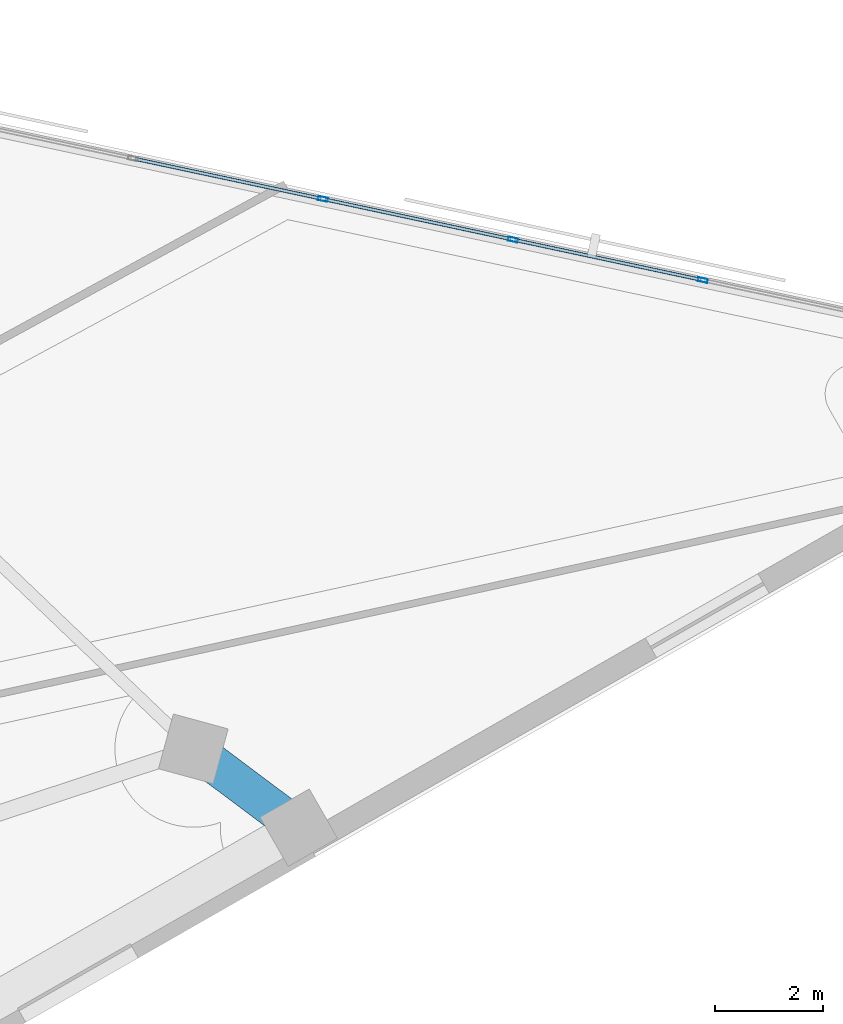
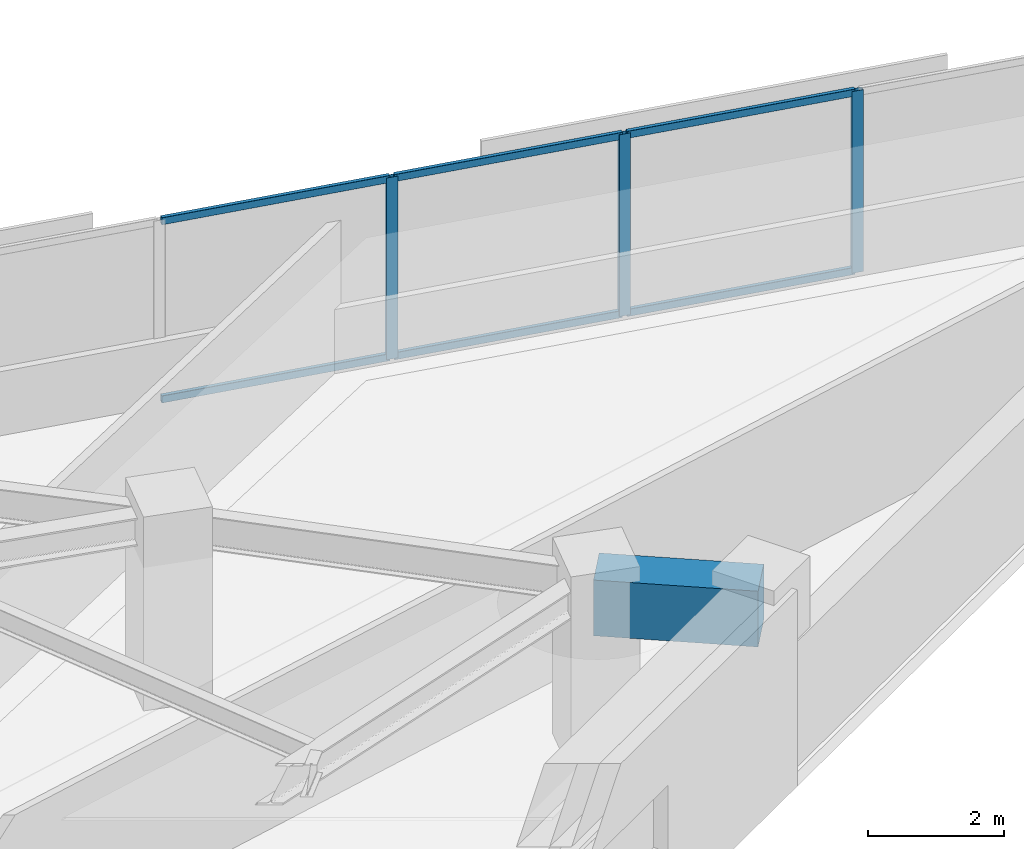
# One storey, part 5 of 14: 9 members, 1 beam, 1 element without a shape of its own.
"""IFC4 building model written with IfcOpenShell, lengths in metres."""

from ifc_helpers import new_model, si_unit, direction, frame, origin, origin_2d, place, context, subcontext, project, spatial, rectangle, hollow_rectangle, extrude, material, material_profile, profile_set, type_object, element, aggregate, save


model = new_model("IFC4")

# Units and contexts
model_context = context("Model", 3, precision=1e-05, world=origin(), true_north=direction((0.0, 1.0)))
body_context = subcontext(model_context, "Body", "Model", "MODEL_VIEW")
ifc_project = project(units=[si_unit("LENGTHUNIT", "METRE"), si_unit("AREAUNIT", "SQUARE_METRE"), si_unit("VOLUMEUNIT", "CUBIC_METRE"), si_unit("PLANEANGLEUNIT", "RADIAN"), si_unit("MASSUNIT", "GRAM", prefix="KILO")], contexts=[model_context])

# Site, building, storey
site_placement = place(None, origin())
site = spatial("IfcSite", under=ifc_project, at=site_placement, CompositionType="ELEMENT")
building_placement = place(site_placement, origin())
building = spatial("IfcBuilding", under=site, at=building_placement, Name="Narakoshi Arena Tower", CompositionType="ELEMENT")
storey_placement = place(building_placement, frame((0.0, 0.0, 214.97998046875)))
storey = spatial("IfcBuildingStorey", under=building, at=storey_placement, Name="L58", CompositionType="ELEMENT", Elevation=214.97998046875)

# Beam
ifc_material_1 = material(Name="Concrete C60/75", Category="concrete")
ifc_material_profile_1 = material_profile(ifc_material_1, rectangle(XDim=0.699951171875, YDim=1.0, at=origin_2d()), Name="RCB700x1000")
ifc_profile_set_1 = profile_set([ifc_material_profile_1], Name="Concrete C60/75")
beam_type = type_object("IfcBeamType", Name="BM-CPL-1000", PredefinedType="BEAM", material=ifc_profile_set_1)
beam_placement = place(storey_placement, frame((104.619873046875, 47.550048828125, 2.760009765625), z_axis=(-0.800768849668, 0.59897349641, 0.0), x_axis=(-0.59897349641, -0.800768849668, 0.0)))
element("IfcBeam", 1, at=beam_placement, inside=storey, type_object=beam_type, Name="L58 Perimeter Edge Girder 03", PredefinedType="BEAM", context=body_context, shape_type="SweptSolid", body=[
    extrude(rectangle(XDim=0.699951171875, YDim=1.0, at=origin_2d()), origin(), (0.0, 0.0, 1.0), 2.4365234375),
])

# Curtain wall, members
ifc_material_2 = material(Name="Anodised bronze aluminium 6063-T6", Category="aluminium")
curtain_wall_type = type_object("IfcCurtainWallType", Name="CW-HYP-MID", PredefinedType="NOTDEFINED", material=ifc_material_2)
curtain_wall_placement = place(storey_placement, origin())
curtain_wall = element("IfcCurtainWall", 2, at=curtain_wall_placement, inside=storey, type_object=curtain_wall_type, Name="L58 Folded Hypotenuse Curtain Wall 1-1", PredefinedType="NOTDEFINED")
ifc_material_profile_2 = material_profile(ifc_material_2, hollow_rectangle(XDim=0.074951171875, YDim=0.179931640625, WallThickness=0.00390625, OuterFilletRadius=0.0048828125, at=origin_2d()), Name="MUL180x75x4")
ifc_profile_set_2 = profile_set([ifc_material_profile_2], Name="Anodised bronze aluminium 6063-T6")
member_type_1 = type_object("IfcMemberType", Name="MEM-MUL-180", PredefinedType="MULLION", material=ifc_profile_set_2)
member_1_placement = place(storey_placement, frame((112.096435546875, 57.680908203125, 0.0), z_axis=(0.0, 0.0, 1.0), x_axis=(-0.208899163248, -0.977937185914, 0.0)))
member_1 = element("IfcMember", 3, at=member_1_placement, type_object=member_type_1, Name="CW-02 mullion 2", PredefinedType="MULLION", context=body_context, shape_type="SweptSolid", body=[
    extrude(hollow_rectangle(XDim=0.074951171875, YDim=0.179931640625, WallThickness=0.00390625, OuterFilletRadius=0.0048828125, at=origin_2d()), origin(), (0.0, 0.0, 1.0), 3.260009765625),
])
member_2_placement = place(storey_placement, frame((108.582275390625, 58.431640625, 0.0), z_axis=(0.0, 0.0, 1.0), x_axis=(-0.208899163248, -0.977937185914, 0.0)))
member_2 = element("IfcMember", 4, at=member_2_placement, type_object=member_type_1, Name="CW-02 mullion 3", PredefinedType="MULLION", context=body_context, shape_type="SweptSolid", body=[
    extrude(hollow_rectangle(XDim=0.074951171875, YDim=0.179931640625, WallThickness=0.00390625, OuterFilletRadius=0.0048828125, at=origin_2d()), origin(), (0.0, 0.0, 1.0), 3.260009765625),
])
member_3_placement = place(storey_placement, frame((105.068115234375, 59.182373046875, 0.0), z_axis=(0.0, 0.0, 1.0), x_axis=(-0.208899163248, -0.977937185914, 0.0)))
member_3 = element("IfcMember", 5, at=member_3_placement, type_object=member_type_1, Name="CW-02 mullion 4", PredefinedType="MULLION", context=body_context, shape_type="SweptSolid", body=[
    extrude(hollow_rectangle(XDim=0.074951171875, YDim=0.179931640625, WallThickness=0.00390625, OuterFilletRadius=0.0048828125, at=origin_2d()), origin(), (0.0, 0.0, 1.0), 3.260009765625),
])
ifc_material_profile_3 = material_profile(ifc_material_2, hollow_rectangle(XDim=0.06494140625, YDim=0.1298828125, WallThickness=0.00390625, OuterFilletRadius=0.0048828125, at=origin_2d()), Name="TRN130x65x4")
ifc_profile_set_3 = profile_set([ifc_material_profile_3], Name="Anodised bronze aluminium 6063-T6")
member_type_2 = type_object("IfcMemberType", Name="MEM-TRN-130", PredefinedType="USERDEFINED", material=ifc_profile_set_3)
member_4_placement = place(storey_placement, frame((112.059814453125, 57.688720703125, 0.032470703125), z_axis=(-0.977932198567, 0.20892250957, 0.0), x_axis=(-0.20892250957, -0.977932198567, 0.0)))
member_4 = element("IfcMember", 6, at=member_4_placement, type_object=member_type_2, Name="CW-02 transom 2.1", ObjectType="TRANSOM", PredefinedType="USERDEFINED", context=body_context, shape_type="SweptSolid", body=[
    extrude(hollow_rectangle(XDim=0.06494140625, YDim=0.1298828125, WallThickness=0.00390625, OuterFilletRadius=0.0048828125, at=origin_2d()), origin(), (0.0, 0.0, 1.0), 3.5185546875),
])
member_5_placement = place(storey_placement, frame((112.059814453125, 57.688720703125, 3.2275390625), z_axis=(-0.977932198567, 0.20892250957, 0.0), x_axis=(-0.20892250957, -0.977932198567, 0.0)))
member_5 = element("IfcMember", 7, at=member_5_placement, type_object=member_type_2, Name="CW-02 transom 2.2", ObjectType="TRANSOM", PredefinedType="USERDEFINED", context=body_context, shape_type="SweptSolid", body=[
    extrude(hollow_rectangle(XDim=0.06494140625, YDim=0.1298828125, WallThickness=0.00390625, OuterFilletRadius=0.0048828125, at=origin_2d()), origin(), (0.0, 0.0, 1.0), 3.5185546875),
])
member_6_placement = place(storey_placement, frame((108.545654296875, 58.439453125, 0.032470703125), z_axis=(-0.977946373003, 0.208856150329, 0.0), x_axis=(-0.208856150329, -0.977946373003, 0.0)))
member_6 = element("IfcMember", 8, at=member_6_placement, type_object=member_type_2, Name="CW-02 transom 3.1", ObjectType="TRANSOM", PredefinedType="USERDEFINED", context=body_context, shape_type="SweptSolid", body=[
    extrude(hollow_rectangle(XDim=0.06494140625, YDim=0.1298828125, WallThickness=0.00390625, OuterFilletRadius=0.0048828125, at=origin_2d()), origin(), (0.0, 0.0, 1.0), 3.5185546875),
])
member_7_placement = place(storey_placement, frame((108.545654296875, 58.439453125, 3.2275390625), z_axis=(-0.977946373003, 0.208856150329, 0.0), x_axis=(-0.208856150329, -0.977946373003, 0.0)))
member_7 = element("IfcMember", 9, at=member_7_placement, type_object=member_type_2, Name="CW-02 transom 3.2", ObjectType="TRANSOM", PredefinedType="USERDEFINED", context=body_context, shape_type="SweptSolid", body=[
    extrude(hollow_rectangle(XDim=0.06494140625, YDim=0.1298828125, WallThickness=0.00390625, OuterFilletRadius=0.0048828125, at=origin_2d()), origin(), (0.0, 0.0, 1.0), 3.5185546875),
])
member_8_placement = place(storey_placement, frame((105.031494140625, 59.190185546875, 0.032470703125), z_axis=(-0.977943345954, 0.208870323659, 0.0), x_axis=(-0.208870323659, -0.977943345954, 0.0)))
member_8 = element("IfcMember", 10, at=member_8_placement, type_object=member_type_2, Name="CW-02 transom 4.1", ObjectType="TRANSOM", PredefinedType="USERDEFINED", context=body_context, shape_type="SweptSolid", body=[
    extrude(hollow_rectangle(XDim=0.06494140625, YDim=0.1298828125, WallThickness=0.00390625, OuterFilletRadius=0.0048828125, at=origin_2d()), origin(), (0.0, 0.0, 1.0), 3.518310546875),
])
member_9_placement = place(storey_placement, frame((105.031494140625, 59.190185546875, 3.2275390625), z_axis=(-0.977943345954, 0.208870323659, 0.0), x_axis=(-0.208870323659, -0.977943345954, 0.0)))
member_9 = element("IfcMember", 11, at=member_9_placement, type_object=member_type_2, Name="CW-02 transom 4.2", ObjectType="TRANSOM", PredefinedType="USERDEFINED", context=body_context, shape_type="SweptSolid", body=[
    extrude(hollow_rectangle(XDim=0.06494140625, YDim=0.1298828125, WallThickness=0.00390625, OuterFilletRadius=0.0048828125, at=origin_2d()), origin(), (0.0, 0.0, 1.0), 3.518310546875),
])
aggregate(curtain_wall, [member_1, member_2, member_3, member_4, member_5, member_6, member_7, member_8, member_9])

save(model, "model.ifc")
